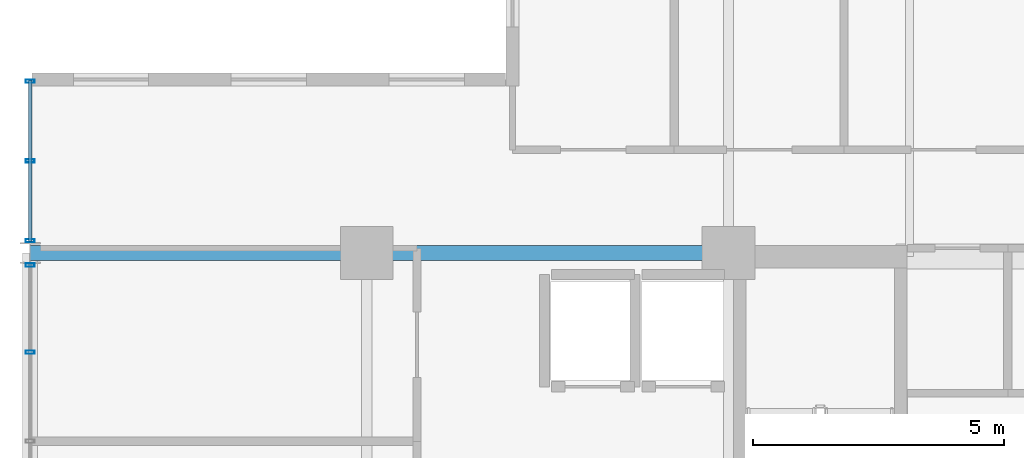
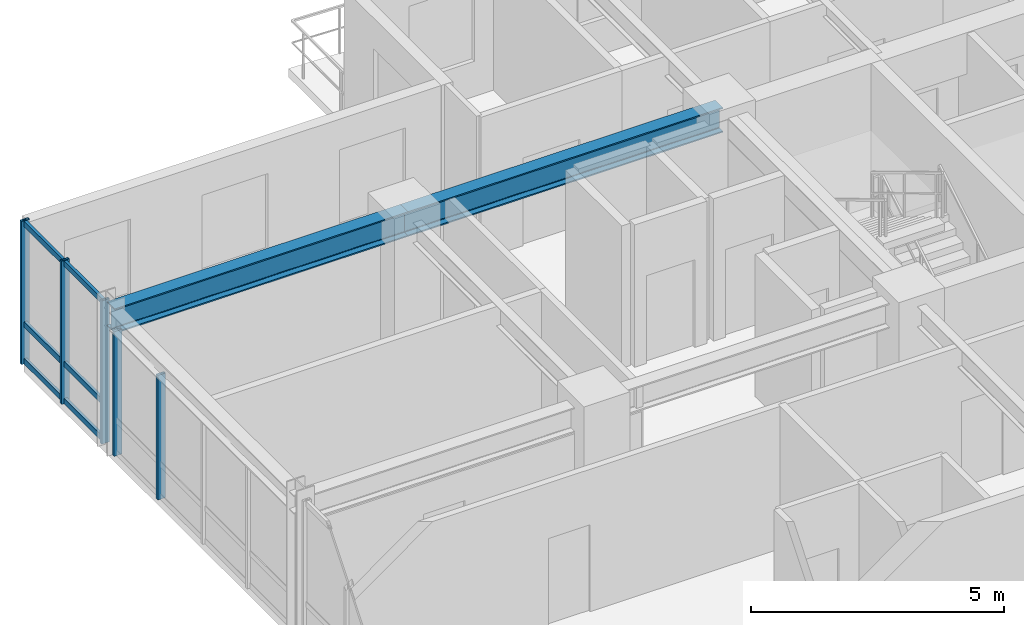
# One storey, part 7 of 18: 8 members, 2 beams, 2 elements without a shape of their own.
"""IFC4 building model written with IfcOpenShell, lengths in metres."""

from ifc_helpers import new_model, si_unit, direction, frame, origin, origin_2d, place, context, subcontext, project, spatial, hollow_rectangle, i_section, extrude, source, transform, mapped, material, layer, layer_set, material_profile, profile_set, type_object, element, aggregate, save


model = new_model("IFC4")

# Units and contexts
model_context = context("Model", 3, precision=1e-05, world=origin(), true_north=direction((0.0, 1.0)))
body_context = subcontext(model_context, "Body", "Model", "MODEL_VIEW")
ifc_project = project(units=[si_unit("LENGTHUNIT", "METRE"), si_unit("AREAUNIT", "SQUARE_METRE"), si_unit("VOLUMEUNIT", "CUBIC_METRE"), si_unit("PLANEANGLEUNIT", "RADIAN"), si_unit("MASSUNIT", "GRAM", prefix="KILO")], contexts=[model_context])

# Site, building, storey
site_placement = place(None, origin())
site = spatial("IfcSite", under=ifc_project, at=site_placement, CompositionType="ELEMENT")
building_placement = place(site_placement, origin())
building = spatial("IfcBuilding", under=site, at=building_placement, Name="Kaliganga Portal Commons", CompositionType="ELEMENT")
storey_placement = place(building_placement, frame((0.0, 0.0, 169.800048828125)))
storey = spatial("IfcBuildingStorey", under=building, at=storey_placement, Name="L43", CompositionType="ELEMENT", Elevation=169.800048828125)

# Beams
ifc_material_1 = material(Name="Structural steel S355J2", Category="steel")
ifc_material_profile_1 = material_profile(ifc_material_1, i_section(OverallWidth=0.300048828125, OverallDepth=0.60009765625, WebThickness=0.015380859375, FlangeThickness=0.030029296875, FilletRadius=0.027099609375, at=origin_2d()), Name="HE 600 B")
ifc_profile_set_1 = profile_set([ifc_material_profile_1], Name="Structural steel S355J2 wide-flange")
beam_type = type_object("IfcBeamType", Name="BM-GIRD-600", PredefinedType="USERDEFINED", material=ifc_profile_set_1)
shared_shape_1 = source(origin(), body_context, "Body", "SweptSolid", [
    extrude(i_section(OverallWidth=0.300048828125, OverallDepth=0.60009765625, WebThickness=0.015380859375, FlangeThickness=0.030029296875, FilletRadius=0.027099609375, at=origin_2d()), origin(), (0.0, 0.0, 1.0), 6.699951171875),
])
beam_1_placement = place(storey_placement, frame((0.5, 36.14990234375, 3.159912109375), z_axis=(1.0, 0.0, 0.0), x_axis=(0.0, 1.0, 0.0)))
element("IfcBeam", 1, at=beam_1_placement, inside=storey, type_object=beam_type, Name="BM G L43 WAH_N 1", ObjectType="GIRDER", PredefinedType="USERDEFINED", context=body_context, shape_type="MappedRepresentation", body=[
    mapped(shared_shape_1, transform((0.0, 0.0, 0.0), x_axis=(1.0, 0.0, 0.0), y_axis=(0.0, 1.0, 0.0), z_axis=(0.0, 0.0, 1.0), scale=1.0)),
])
shared_shape_2 = source(origin(), body_context, "Body", "SweptSolid", [
    extrude(i_section(OverallWidth=0.300048828125, OverallDepth=0.60009765625, WebThickness=0.015380859375, FlangeThickness=0.030029296875, FilletRadius=0.027099609375, at=origin_2d()), origin(), (0.0, 0.0, 1.0), 7.199951171875),
])
beam_2_placement = place(storey_placement, frame((7.199951171875, 36.14990234375, 3.159912109375), z_axis=(1.0, 0.0, 0.0), x_axis=(0.0, 1.0, 0.0)))
element("IfcBeam", 2, at=beam_2_placement, inside=storey, type_object=beam_type, Name="BM G L43 WAH_N 2", ObjectType="GIRDER", PredefinedType="USERDEFINED", context=body_context, shape_type="MappedRepresentation", body=[
    mapped(shared_shape_2, transform((0.0, 0.0, 0.0), x_axis=(1.0, 0.0, 0.0), y_axis=(0.0, 1.0, 0.0), z_axis=(0.0, 0.0, 1.0), scale=1.0)),
])

# Curtain wall, members
ifc_material_2 = material(Name="Anodized Aluminium and Laminated Low-E Glass", Category="aluminium")
ifc_layer = layer(ifc_material_2, 0.199951171875)
ifc_layer_set = layer_set([ifc_layer], Name="Anodized Aluminium and Laminated Low-E Glass")
curtain_wall_type = type_object("IfcCurtainWallType", Name="CW-SYS-02", PredefinedType="NOTDEFINED", material=ifc_layer_set)
curtain_wall_1_placement = place(storey_placement, origin())
curtain_wall_1 = element("IfcCurtainWall", 3, at=curtain_wall_1_placement, inside=storey, type_object=curtain_wall_type, Name="CW 02 L43 P1E09S1", PredefinedType="NOTDEFINED")
ifc_material_3 = material(Name="Dark Bronze Anodized Aluminium", Category="aluminium")
ifc_material_profile_2 = material_profile(ifc_material_3, hollow_rectangle(XDim=0.06494140625, YDim=0.179931640625, WallThickness=0.00390625, at=origin_2d()), Name="ALU MULL 65x180x4")
ifc_profile_set_2 = profile_set([ifc_material_profile_2], Name="Dark Bronze Anodized Aluminium")
member_type_1 = type_object("IfcMemberType", Name="CW-MUL-180", PredefinedType="MULLION", material=ifc_profile_set_2)
shared_shape_3 = source(origin(), body_context, "Body", "SweptSolid", [
    extrude(hollow_rectangle(XDim=0.06494140625, YDim=0.179931640625, WallThickness=0.00390625, at=origin_2d()), origin(), (0.0, 0.0, 1.0), 3.4599609375),
])
member_1_placement = place(storey_placement, frame((0.5, 39.56494140625, 0.0), z_axis=(0.0, 0.0, 1.0), x_axis=(0.0, -1.0, 0.0)))
member_1 = element("IfcMember", 4, at=member_1_placement, type_object=member_type_1, Name="CW:02:L43:P1E09S1 Mullion 00", PredefinedType="MULLION", context=body_context, shape_type="MappedRepresentation", body=[
    mapped(shared_shape_3, transform((0.0, 0.0, 0.0), x_axis=(1.0, 0.0, 0.0), y_axis=(0.0, 1.0, 0.0), z_axis=(0.0, 0.0, 1.0), scale=1.0)),
])
member_2_placement = place(storey_placement, frame((0.5, 37.97900390625, 0.0), z_axis=(0.0, 0.0, 1.0), x_axis=(0.0, -1.0, 0.0)))
member_2 = element("IfcMember", 5, at=member_2_placement, type_object=member_type_1, Name="CW:02:L43:P1E09S1 Mullion 01", PredefinedType="MULLION", context=body_context, shape_type="MappedRepresentation", body=[
    mapped(shared_shape_3, transform((0.0, 0.0, 0.0), x_axis=(1.0, 0.0, 0.0), y_axis=(0.0, 1.0, 0.0), z_axis=(0.0, 0.0, 1.0), scale=1.0)),
])
member_3_placement = place(storey_placement, frame((0.5, 36.39306640625, 0.0), z_axis=(0.0, 0.0, 1.0), x_axis=(0.0, -1.0, 0.0)))
member_3 = element("IfcMember", 6, at=member_3_placement, type_object=member_type_1, Name="CW:02:L43:P1E09S1 Mullion 02", PredefinedType="MULLION", context=body_context, shape_type="MappedRepresentation", body=[
    mapped(shared_shape_3, transform((0.0, 0.0, 0.0), x_axis=(1.0, 0.0, 0.0), y_axis=(0.0, 1.0, 0.0), z_axis=(0.0, 0.0, 1.0), scale=1.0)),
])

curtain_wall_2_placement = place(storey_placement, origin())
curtain_wall_2 = element("IfcCurtainWall", 7, at=curtain_wall_2_placement, inside=storey, type_object=curtain_wall_type, Name="CW 02 L43 P1E09S2", PredefinedType="NOTDEFINED")
shared_shape_4 = source(origin(), body_context, "Body", "SweptSolid", [
    extrude(hollow_rectangle(XDim=0.06494140625, YDim=0.179931640625, WallThickness=0.00390625, at=origin_2d()), origin(), (0.0, 0.0, 1.0), 3.010009765625),
])
member_4_placement = place(storey_placement, frame((0.5, 35.906982421875, 0.0), z_axis=(0.0, 0.0, 1.0), x_axis=(0.0, -1.0, 0.0)))
member_4 = element("IfcMember", 8, at=member_4_placement, type_object=member_type_1, Name="CW:02:L43:P1E09S2 Mullion 00", PredefinedType="MULLION", context=body_context, shape_type="MappedRepresentation", body=[
    mapped(shared_shape_4, transform((0.0, 0.0, 0.0), x_axis=(1.0, 0.0, 0.0), y_axis=(0.0, 1.0, 0.0), z_axis=(0.0, 0.0, 1.0), scale=1.0)),
])
member_5_placement = place(storey_placement, frame((0.5, 34.1708984375, 0.0), z_axis=(0.0, 0.0, 1.0), x_axis=(0.0, -1.0, 0.0)))
member_5 = element("IfcMember", 9, at=member_5_placement, type_object=member_type_1, Name="CW:02:L43:P1E09S2 Mullion 01", PredefinedType="MULLION", context=body_context, shape_type="MappedRepresentation", body=[
    mapped(shared_shape_4, transform((0.0, 0.0, 0.0), x_axis=(1.0, 0.0, 0.0), y_axis=(0.0, 1.0, 0.0), z_axis=(0.0, 0.0, 1.0), scale=1.0)),
])
aggregate(curtain_wall_2, [member_4, member_5])

# Member
ifc_material_profile_3 = material_profile(ifc_material_3, hollow_rectangle(XDim=0.06494140625, YDim=0.135009765625, WallThickness=0.00341796875, at=origin_2d()), Name="ALU TRAN 65x135x3.5")
ifc_profile_set_3 = profile_set([ifc_material_profile_3], Name="Dark Bronze Anodized Aluminium")
member_type_2 = type_object("IfcMemberType", Name="CW-TRN-135", PredefinedType="USERDEFINED", material=ifc_profile_set_3)
shared_shape_5 = source(origin(), body_context, "Body", "SweptSolid", [
    extrude(hollow_rectangle(XDim=0.06494140625, YDim=0.135009765625, WallThickness=0.00341796875, at=origin_2d()), origin(), (0.0, 0.0, 1.0), 3.2021484375),
])
member_6_placement = place(storey_placement, frame((0.5, 39.580078125, 0.06005859375), z_axis=(0.0, -1.0, 0.0), x_axis=(1.0, 0.0, 0.0)))
member_6 = element("IfcMember", 10, at=member_6_placement, type_object=member_type_2, Name="CW:02:L43:P1E09S1 Transom 1", ObjectType="TRANSOM", PredefinedType="USERDEFINED", context=body_context, shape_type="MappedRepresentation", body=[
    mapped(shared_shape_5, transform((0.0, 0.0, 0.0), x_axis=(1.0, 0.0, 0.0), y_axis=(0.0, 1.0, 0.0), z_axis=(0.0, 0.0, 1.0), scale=1.0)),
])

member_7_placement = place(storey_placement, frame((0.5, 39.580078125, 0.949951171875), z_axis=(0.0, -1.0, 0.0), x_axis=(1.0, 0.0, 0.0)))
member_7 = element("IfcMember", 11, at=member_7_placement, type_object=member_type_2, Name="CW:02:L43:P1E09S1 Transom 2", ObjectType="TRANSOM", PredefinedType="USERDEFINED", context=body_context, shape_type="MappedRepresentation", body=[
    mapped(shared_shape_5, transform((0.0, 0.0, 0.0), x_axis=(1.0, 0.0, 0.0), y_axis=(0.0, 1.0, 0.0), z_axis=(0.0, 0.0, 1.0), scale=1.0)),
])

member_8_placement = place(storey_placement, frame((0.5, 39.580078125, 3.3798828125), z_axis=(0.0, -1.0, 0.0), x_axis=(1.0, 0.0, 0.0)))
member_8 = element("IfcMember", 12, at=member_8_placement, type_object=member_type_2, Name="CW:02:L43:P1E09S1 Transom 3", ObjectType="TRANSOM", PredefinedType="USERDEFINED", context=body_context, shape_type="MappedRepresentation", body=[
    mapped(shared_shape_5, transform((0.0, 0.0, 0.0), x_axis=(1.0, 0.0, 0.0), y_axis=(0.0, 1.0, 0.0), z_axis=(0.0, 0.0, 1.0), scale=1.0)),
])

aggregate(curtain_wall_1, [member_1, member_2, member_3, member_6, member_7, member_8])

save(model, "model.ifc")
